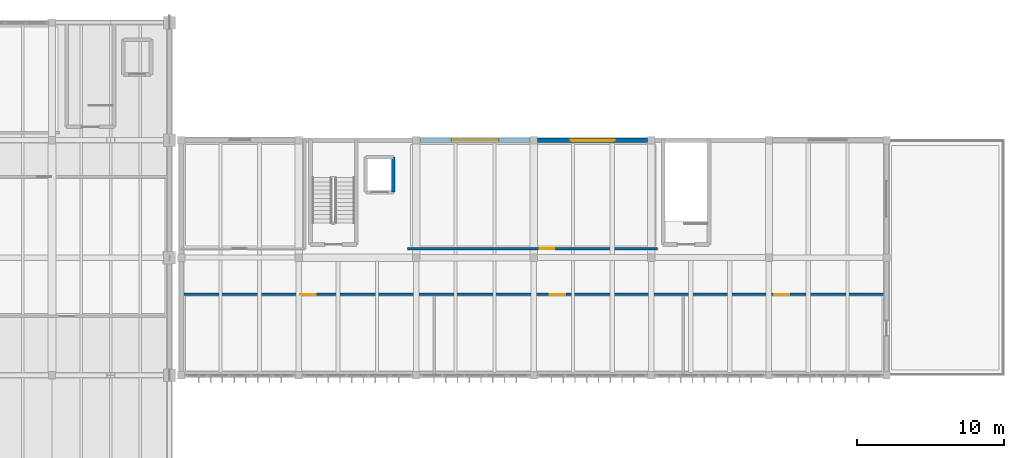
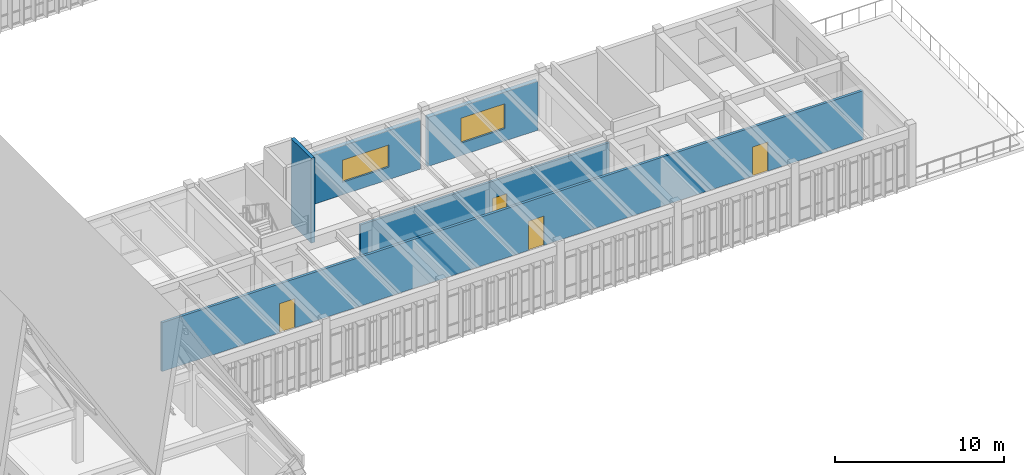
# One storey, part 51 of 72: 5 walls, 4 doors, 2 windows, 6 openings.
"""IFC4 building model written with IfcOpenShell, lengths in metres."""

import ifcopenshell
import ifcopenshell.guid

model = None  # the IFC model being written
_history = None  # IfcOwnerHistory: only IFC2X3 demands one
_inside = {}  # id of a spatial element -> (the spatial element, [elements in it])
_under = {}  # id of a project, library or spatial element -> (it, [spatial elements below it])
_declared = {}  # id of a project -> (the project, [libraries it declares])
_typed = {}  # id of a type object -> (the type object, [elements of that type])
_made_of = {}  # id of a material, layer set ... -> (it, [elements and type objects made of it])


def new_model(schema):
    """Start an empty IFC model of exactly this schema.

    Asked for "IFC4X3", IfcOpenShell would pick the latest addendum, in which some entities
    have other attributes; the version numbers below select the first issue.
    IFC2X3 requires an IfcOwnerHistory on every rooted entity: one is made here for all.
    """
    global model, _history
    if schema == "IFC4X3":
        model = ifcopenshell.file(schema_version=(4, 3, 0, 0))
    else:
        model = ifcopenshell.file(schema=schema)
    _inside.clear()
    _under.clear()
    _declared.clear()
    _typed.clear()
    _made_of.clear()
    _history = None
    if model.schema == "IFC2X3":
        org = make("IfcOrganization", Name="unknown")
        user = make(
            "IfcPersonAndOrganization",
            ThePerson=make("IfcPerson", FamilyName="unknown"),
            TheOrganization=org,
        )
        app = make(
            "IfcApplication",
            ApplicationDeveloper=org,
            Version="unknown",
            ApplicationFullName="unknown",
            ApplicationIdentifier="unknown",
        )
        _history = make(
            "IfcOwnerHistory",
            OwningUser=user,
            OwningApplication=app,
            ChangeAction="ADDED",
            CreationDate=0,
        )
    return model


def make(cls, **values):
    """One entity of the class cls with the attributes given. An attribute that is None is left unset."""
    return model.create_entity(
        cls, **{name: value for name, value in values.items() if value is not None}
    )


def rooted(cls, **values):
    """An entity with a GlobalId (a new one), such as an element, a storey or a relation."""
    return make(cls, GlobalId=ifcopenshell.guid.new(), OwnerHistory=_history, **values)


def si_unit(unit_type, name, prefix=None):
    """IfcSIUnit, for example si_unit("LENGTHUNIT", "METRE", prefix="MILLI")."""
    return make("IfcSIUnit", UnitType=unit_type, Prefix=prefix, Name=name)


def assignment(units):
    """IfcUnitAssignment: the units of a project."""
    return None if units is None else make("IfcUnitAssignment", Units=units)


def point(xyz):
    """IfcCartesianPoint."""
    return None if xyz is None else make("IfcCartesianPoint", Coordinates=xyz)


def direction(xyz):
    """IfcDirection."""
    return None if xyz is None else make("IfcDirection", DirectionRatios=xyz)


def frame(location, z_axis=None, x_axis=None):
    """IfcAxis2Placement3D, a coordinate frame: its origin and axes. An axis left out is left unset."""
    return make(
        "IfcAxis2Placement3D",
        Location=point(location),
        Axis=direction(z_axis),
        RefDirection=direction(x_axis),
    )


def frame_2d(location, x_axis=None):
    """IfcAxis2Placement2D, a coordinate frame in the plane: its origin and x axis."""
    return make(
        "IfcAxis2Placement2D", Location=point(location), RefDirection=direction(x_axis)
    )


def origin():
    """The frame at (0, 0, 0) with its axes left unset."""
    return frame((0.0, 0.0, 0.0))


def place(relative_to, where):
    """IfcLocalPlacement: puts the frame where relative to a parent placement (None: the world)."""
    return make(
        "IfcLocalPlacement", PlacementRelTo=relative_to, RelativePlacement=where
    )


def context(
    kind, dimensions, precision=None, world=None, true_north=None, identifier=None
):
    """IfcGeometricRepresentationContext, for example the 3D "Model" context."""
    return make(
        "IfcGeometricRepresentationContext",
        ContextIdentifier=identifier,
        ContextType=kind,
        CoordinateSpaceDimension=dimensions,
        Precision=precision,
        WorldCoordinateSystem=world,
        TrueNorth=true_north,
    )


def subcontext(parent, identifier, kind, view, scale=None):
    """IfcGeometricRepresentationSubContext, for example "Body" below "Model"."""
    return make(
        "IfcGeometricRepresentationSubContext",
        ContextIdentifier=identifier,
        ContextType=kind,
        ParentContext=parent,
        TargetScale=scale,
        TargetView=view,
    )


def project(units=None, contexts=None):
    """IfcProject with its units and contexts."""
    return rooted(
        "IfcProject",
        Name="project",
        RepresentationContexts=contexts,
        UnitsInContext=assignment(units),
    )


def spatial(cls, under=None, at=None, **own):
    """A site, building, storey or space (cls), placed at a placement, below another one or the project."""
    s = rooted(cls, ObjectPlacement=at, **own)
    if under is not None:
        _under.setdefault(under.id(), (under, []))[1].append(s)
    return s


def profile(cls, at=None, kind="AREA", **sizes):
    """A parametric profile (cls). Its sizes go by their IFC names, for example OverallWidth=200.0."""
    return make(cls, ProfileType=kind, Position=at, **sizes)


def rectangle(**sizes):
    """IfcRectangleProfileDef."""
    return profile("IfcRectangleProfileDef", **sizes)


def extrude(swept, where, along, depth):
    """IfcExtrudedAreaSolid: the profile swept, set in the frame where, extruded along a direction by depth."""
    return make(
        "IfcExtrudedAreaSolid",
        SweptArea=swept,
        Position=where,
        ExtrudedDirection=direction(along),
        Depth=depth,
    )


def shape(context_of_items, identifier, shape_type, items):
    """IfcShapeRepresentation: the items that make up one representation, for example the "Body"."""
    return make(
        "IfcShapeRepresentation",
        ContextOfItems=context_of_items,
        RepresentationIdentifier=identifier,
        RepresentationType=shape_type,
        Items=items,
    )


def material(Name=None, Category=None):
    """IfcMaterial."""
    return make("IfcMaterial", Name=Name, Category=Category)


def layer(
    of_material, thickness, ventilated=None, Name=None, Category=None, Priority=None
):
    """IfcMaterialLayer: one layer of a wall or slab, of a material (None: an air gap)."""
    return make(
        "IfcMaterialLayer",
        Material=of_material,
        LayerThickness=thickness,
        IsVentilated=ventilated,
        Name=Name,
        Category=Category,
        Priority=Priority,
    )


def layer_set(layers, Name=None):
    """IfcMaterialLayerSet."""
    return make("IfcMaterialLayerSet", MaterialLayers=layers, LayerSetName=Name)


def made_of(thing, what):
    """Note that an element or type object is made of a material, layer set ...; save() writes the relation."""
    if what is not None:
        _made_of.setdefault(what.id(), (what, []))[1].append(thing)
    return thing


def type_object(cls, material=None, **own):
    """A type object (cls), such as IfcWallType, which elements share."""
    return made_of(rooted(cls, **own), material)


def element(
    cls,
    number,
    at=None,
    inside=None,
    cuts=None,
    type_object=None,
    material=None,
    context=None,
    identifier="Body",
    shape_type=None,
    held_by="IfcProductDefinitionShape",
    body=None,
    shapes=None,
    **own,
):
    """One element of the class cls, such as IfcWall. Its Tag is "e" and its number.

    at: its placement. inside: the storey or other place that contains it. cuts: it is an
    opening in that element (IfcRelVoidsElement). A single representation is given by context,
    identifier, shape_type and body (its items); several are given by shapes. held_by: the class
    of the entity that holds the representations. save() writes the other relations.
    """
    e = rooted(cls, Tag="e%d" % number, ObjectPlacement=at, **own)
    if body is not None:
        shapes = [shape(context, identifier, shape_type, body)]
    if shapes is not None:
        e.Representation = make(held_by, Representations=shapes)
    if inside is not None:
        _inside.setdefault(inside.id(), (inside, []))[1].append(e)
    if cuts is not None:
        rooted(
            "IfcRelVoidsElement", RelatingBuildingElement=cuts, RelatedOpeningElement=e
        )
    if type_object is not None:
        _typed.setdefault(type_object.id(), (type_object, []))[1].append(e)
    return made_of(e, material)


def fill(opening, filler):
    """IfcRelFillsElement: the door or window that sits in an opening."""
    return rooted(
        "IfcRelFillsElement",
        RelatingOpeningElement=opening,
        RelatedBuildingElement=filler,
    )


def aggregate(whole, parts):
    """IfcRelAggregates: a whole, such as a stair, and the parts it consists of."""
    return rooted("IfcRelAggregates", RelatingObject=whole, RelatedObjects=parts)


def save(model, path):
    """Write the relations noted so far, then the file.

    IfcRelAggregates (storeys below a building ...), IfcRelContainedInSpatialStructure (elements
    in a storey), IfcRelDefinesByType, IfcRelAssociatesMaterial and IfcRelDeclares: one each for
    every whole, place, type object, material and project.
    """
    for whole, parts in _under.values():
        aggregate(whole, parts)
    for where, things in _inside.values():
        rooted(
            "IfcRelContainedInSpatialStructure",
            RelatedElements=things,
            RelatingStructure=where,
        )
    for kind, things in _typed.values():
        rooted("IfcRelDefinesByType", RelatedObjects=things, RelatingType=kind)
    for what, things in _made_of.values():
        rooted("IfcRelAssociatesMaterial", RelatedObjects=things, RelatingMaterial=what)
    for by, libraries in _declared.values():
        rooted("IfcRelDeclares", RelatingContext=by, RelatedDefinitions=libraries)
    model.write(path)


model = new_model("IFC4")

# Units and contexts
model_context = context("Model", 3, precision=1e-05, world=origin(), true_north=direction((0.0, 1.0)))
body_context = subcontext(model_context, "Body", "Model", "MODEL_VIEW")
ifc_project = project(units=[si_unit("LENGTHUNIT", "METRE"), si_unit("AREAUNIT", "SQUARE_METRE"), si_unit("VOLUMEUNIT", "CUBIC_METRE"), si_unit("PLANEANGLEUNIT", "RADIAN"), si_unit("MASSUNIT", "GRAM", prefix="KILO")], contexts=[model_context])

# Site, building, storey
site_placement = place(None, origin())
site = spatial("IfcSite", under=ifc_project, at=site_placement, CompositionType="ELEMENT")
building_placement = place(site_placement, origin())
building = spatial("IfcBuilding", under=site, at=building_placement, Name="Tlaxcora Railside Police Headquarters", CompositionType="ELEMENT")
storey_placement = place(building_placement, frame((0.0, 0.0, 13.5)))
storey = spatial("IfcBuildingStorey", under=building, at=storey_placement, Name="L03", CompositionType="ELEMENT", Elevation=13.5)

# Wall, openings, doors
ifc_material_1 = material(Name="Gypsum acoustic partition board")
ifc_layer_1 = layer(ifc_material_1, 0.175048828125, Name="Gypsum acoustic partition board")
ifc_layer_set_1 = layer_set([ifc_layer_1], Name="Gypsum acoustic partition board")
wall_type_1 = type_object("IfcWallType", Name="Interior Partition Wall IW-22", PredefinedType="PARTITIONING", material=ifc_layer_set_1)
wall_1_placement = place(storey_placement, frame((102.8798828125, 41.5, 0.0), z_axis=(0.0, 0.0, 1.0), x_axis=(1.0, 0.0, 0.0)))
wall_1 = element("IfcWall", 1, at=wall_1_placement, inside=storey, type_object=wall_type_1, Name="V7 L03 interior partition 179", PredefinedType="PARTITIONING", context=body_context, shape_type="SweptSolid", body=[
    extrude(rectangle(XDim=47.840087890625, YDim=0.175048828125, at=frame_2d((23.919921875, 0.0))), origin(), (0.0, 0.0, 1.0), 3.52490234375),
])
opening_1_placement = place(wall_1_placement, frame((8.02001953125, 0.0, 0.0)))
opening_1 = element("IfcOpeningElement", 2, at=opening_1_placement, cuts=wall_1, Name="Opening D-L03-208", PredefinedType="OPENING", context=body_context, shape_type="SweptSolid", body=[
    extrude(rectangle(XDim=1.050048828125, YDim=2.10009765625, at=frame_2d((0.52490234375, 1.050048828125))), frame((0.0, 0.09765625, 0.0), z_axis=(0.0, -1.0, 0.0), x_axis=(1.0, 0.0, 0.0)), (0.0, 0.0, 1.0), 0.195068359375),
])
opening_2_placement = place(wall_1_placement, frame((24.989990234375, 0.0, 0.0)))
opening_2 = element("IfcOpeningElement", 3, at=opening_2_placement, cuts=wall_1, Name="Opening D-L03-209", PredefinedType="OPENING", context=body_context, shape_type="SweptSolid", body=[
    extrude(rectangle(XDim=1.050048828125, YDim=2.10009765625, at=frame_2d((0.52490234375, 1.050048828125))), frame((0.0, 0.09765625, 0.0), z_axis=(0.0, -1.0, 0.0), x_axis=(1.0, 0.0, 0.0)), (0.0, 0.0, 1.0), 0.195068359375),
])
opening_3_placement = place(wall_1_placement, frame((40.27001953125, 0.0, 0.0)))
opening_3 = element("IfcOpeningElement", 4, at=opening_3_placement, cuts=wall_1, Name="Opening D-L03-210", PredefinedType="OPENING", context=body_context, shape_type="SweptSolid", body=[
    extrude(rectangle(XDim=1.050048828125, YDim=2.10009765625, at=frame_2d((0.52490234375, 1.050048828125))), frame((0.0, 0.09765625, 0.0), z_axis=(0.0, -1.0, 0.0), x_axis=(1.0, 0.0, 0.0)), (0.0, 0.0, 1.0), 0.195068359375),
])
ifc_material_2 = material(Name="Steel ASTM A992 Grade 50", Category="steel")
door_type_1 = type_object("IfcDoorType", Name="Swing or Sliding Personnel Door ID-52", OperationType="NOTDEFINED", PredefinedType="DOOR", material=ifc_material_2)
door_1_placement = place(opening_1_placement, origin())
door_1 = element("IfcDoor", 5, at=door_1_placement, inside=storey, type_object=door_type_1, Name="V7 L03 door D-L03-208", OperationType="SINGLE_SWING_LEFT", OverallHeight=2.10009765625, OverallWidth=1.050048828125, PredefinedType="DOOR", context=body_context, shape_type="SweptSolid", body=[
    extrude(rectangle(XDim=1.050048828125, YDim=2.10009765625, at=frame_2d((0.52490234375, 1.050048828125))), frame((0.0, 0.02490234375, 0.0), z_axis=(0.0, -1.0, 0.0), x_axis=(1.0, 0.0, 0.0)), (0.0, 0.0, 1.0), 0.050048828125),
])
fill(opening_1, door_1)
door_2_placement = place(opening_2_placement, origin())
door_2 = element("IfcDoor", 6, at=door_2_placement, inside=storey, type_object=door_type_1, Name="V7 L03 door D-L03-209", OperationType="SINGLE_SWING_RIGHT", OverallHeight=2.10009765625, OverallWidth=1.050048828125, PredefinedType="DOOR", context=body_context, shape_type="SweptSolid", body=[
    extrude(rectangle(XDim=1.050048828125, YDim=2.10009765625, at=frame_2d((0.52490234375, 1.050048828125))), frame((0.0, 0.02490234375, 0.0), z_axis=(0.0, -1.0, 0.0), x_axis=(1.0, 0.0, 0.0)), (0.0, 0.0, 1.0), 0.050048828125),
])
fill(opening_2, door_2)
door_3_placement = place(opening_3_placement, origin())
door_3 = element("IfcDoor", 7, at=door_3_placement, inside=storey, type_object=door_type_1, Name="V7 L03 door D-L03-210", OperationType="SINGLE_SWING_LEFT", OverallHeight=2.10009765625, OverallWidth=1.050048828125, PredefinedType="DOOR", context=body_context, shape_type="SweptSolid", body=[
    extrude(rectangle(XDim=1.050048828125, YDim=2.10009765625, at=frame_2d((0.52490234375, 1.050048828125))), frame((0.0, 0.02490234375, 0.0), z_axis=(0.0, -1.0, 0.0), x_axis=(1.0, 0.0, 0.0)), (0.0, 0.0, 1.0), 0.050048828125),
])
fill(opening_3, door_3)

# Wall, opening, door
ifc_layer_2 = layer(ifc_material_1, 0.159912109375, Name="Gypsum acoustic partition board")
ifc_layer_set_2 = layer_set([ifc_layer_2], Name="Gypsum acoustic partition board")
wall_type_2 = type_object("IfcWallType", Name="Interior Partition Wall IW-73", PredefinedType="PARTITIONING", material=ifc_layer_set_2)
wall_2_placement = place(storey_placement, frame((118.199951171875, 44.60009765625, 0.0), z_axis=(0.0, 0.0, 1.0), x_axis=(1.0, 0.0, 0.0)))
wall_2 = element("IfcWall", 8, at=wall_2_placement, inside=storey, type_object=wall_type_2, Name="V7 L03 interior partition 182", PredefinedType="PARTITIONING", context=body_context, shape_type="SweptSolid", body=[
    extrude(rectangle(XDim=17.0, YDim=0.159912109375, at=frame_2d((8.5, 0.0))), origin(), (0.0, 0.0, 1.0), 3.324951171875),
])
opening_4_placement = place(wall_2_placement, frame((9.0, 0.0, 0.0)))
opening_4 = element("IfcOpeningElement", 9, at=opening_4_placement, cuts=wall_2, Name="Opening D-L03-212", PredefinedType="OPENING", context=body_context, shape_type="SweptSolid", body=[
    extrude(rectangle(XDim=1.0, YDim=2.10009765625, at=frame_2d((0.5, 1.050048828125))), frame((0.0, 0.08984375, 0.0), z_axis=(0.0, -1.0, 0.0), x_axis=(1.0, 0.0, 0.0)), (0.0, 0.0, 1.0), 0.179931640625),
])
door_type_2 = type_object("IfcDoorType", Name="Swing or Sliding Personnel Door ID-89", OperationType="NOTDEFINED", PredefinedType="DOOR", material=ifc_material_2)
door_4_placement = place(opening_4_placement, origin())
door_4 = element("IfcDoor", 10, at=door_4_placement, inside=storey, type_object=door_type_2, Name="V7 L03 door D-L03-212", OperationType="SINGLE_SWING_LEFT", OverallHeight=2.10009765625, OverallWidth=1.0, PredefinedType="DOOR", context=body_context, shape_type="SweptSolid", body=[
    extrude(rectangle(XDim=1.0, YDim=2.10009765625, at=frame_2d((0.5, 1.050048828125))), frame((0.0, 0.02490234375, 0.0), z_axis=(0.0, -1.0, 0.0), x_axis=(1.0, 0.0, 0.0)), (0.0, 0.0, 1.0), 0.050048828125),
])
fill(opening_4, door_4)

# Wall
ifc_material_3 = material(Name="Concrete C40/50", Category="concrete")
ifc_layer_3 = layer(ifc_material_3, 0.25, Name="Concrete C40/50")
ifc_layer_set_3 = layer_set([ifc_layer_3], Name="Concrete C40/50")
wall_type_3 = type_object("IfcWallType", Name="Shear Core Wall IW-13", PredefinedType="SHEAR", material=ifc_layer_set_3)
wall_3_placement = place(storey_placement, frame((117.239990234375, 48.4599609375, 0.0), z_axis=(0.0, 0.0, 1.0), x_axis=(0.0, 1.0, 0.0)))
element("IfcWall", 11, at=wall_3_placement, inside=storey, type_object=wall_type_3, Name="Lift CL-01 L03 shaft wall E", PredefinedType="SHEAR", context=body_context, shape_type="SweptSolid", body=[
    extrude(rectangle(XDim=2.380126953125, YDim=0.25, at=frame_2d((1.18994140625, 0.0))), origin(), (0.0, 0.0, 1.0), 6.1201171875),
])

# Wall, opening, window
ifc_material_4 = material(Name="Pressed clay brick masonry", Category="masonry")
ifc_layer_4 = layer(ifc_material_4, 0.294921875, Name="Pressed clay brick masonry")
ifc_layer_set_4 = layer_set([ifc_layer_4], Name="Pressed clay brick masonry")
wall_type_4 = type_object("IfcWallType", Name="Structural Bearing Wall EW-74", PredefinedType="SOLIDWALL", material=ifc_layer_set_4)
wall_4_placement = place(storey_placement, frame((134.550048828125, 52.0, 0.0), z_axis=(0.0, 0.0, 1.0), x_axis=(-1.0, 0.0, 0.0)))
wall_4 = element("IfcWall", 12, at=wall_4_placement, inside=storey, type_object=wall_type_4, Name="V7 L03 exterior wall 2.2", PredefinedType="SOLIDWALL", context=body_context, shape_type="SweptSolid", body=[
    extrude(rectangle(XDim=7.5, YDim=0.294921875, at=frame_2d((3.75, 0.0))), origin(), (0.0, 0.0, 1.0), 3.5400390625),
])
opening_5_placement = place(wall_4_placement, frame((2.25, 0.0, 0.89990234375)))
opening_5 = element("IfcOpeningElement", 13, at=opening_5_placement, cuts=wall_4, Name="Opening WN-93", PredefinedType="OPENING", context=body_context, shape_type="SweptSolid", body=[
    extrude(rectangle(XDim=3.0, YDim=1.800048828125, at=frame_2d((1.5, 0.89990234375))), frame((0.0, 0.157470703125, 0.0), z_axis=(0.0, -1.0, 0.0), x_axis=(1.0, 0.0, 0.0)), (0.0, 0.0, 1.0), 0.31494140625),
])
ifc_material_5 = material(Name="Thermally broken low-E insulated glazing", Category="glass")
window_type_1 = type_object("IfcWindowType", Name="Exterior Framed or Circular Window WN-93", PartitioningType="SINGLE_PANEL", PredefinedType="WINDOW", material=ifc_material_5)
window_1_placement = place(opening_5_placement, origin())
window_1 = element("IfcWindow", 14, at=window_1_placement, inside=storey, type_object=window_type_1, Name="V7 L03 window 215", OverallHeight=1.800048828125, OverallWidth=3.0, PartitioningType="SINGLE_PANEL", PredefinedType="WINDOW", context=body_context, shape_type="SweptSolid", body=[
    extrude(rectangle(XDim=3.0, YDim=1.800048828125, at=frame_2d((1.5, 0.89990234375))), frame((0.0, 0.030029296875, 0.0), z_axis=(0.0, -1.0, 0.0), x_axis=(1.0, 0.0, 0.0)), (0.0, 0.0, 1.0), 0.06005859375),
])
fill(opening_5, window_1)

wall_5_placement = place(storey_placement, frame((126.550048828125, 52.0, 0.0), z_axis=(0.0, 0.0, 1.0), x_axis=(-1.0, 0.0, 0.0)))
wall_5 = element("IfcWall", 15, at=wall_5_placement, inside=storey, type_object=wall_type_4, Name="V7 L03 exterior wall 2.3", PredefinedType="SOLIDWALL", context=body_context, shape_type="SweptSolid", body=[
    extrude(rectangle(XDim=7.5, YDim=0.294921875, at=frame_2d((3.75, 0.0))), origin(), (0.0, 0.0, 1.0), 3.5400390625),
])
opening_6_placement = place(wall_5_placement, frame((2.14990234375, 0.0, 0.89990234375)))
opening_6 = element("IfcOpeningElement", 16, at=opening_6_placement, cuts=wall_5, Name="Opening WN-47", PredefinedType="OPENING", context=body_context, shape_type="SweptSolid", body=[
    extrude(rectangle(XDim=3.199951171875, YDim=1.60009765625, at=frame_2d((1.60009765625, 0.800048828125))), frame((0.0, 0.157470703125, 0.0), z_axis=(0.0, -1.0, 0.0), x_axis=(1.0, 0.0, 0.0)), (0.0, 0.0, 1.0), 0.31494140625),
])
window_type_2 = type_object("IfcWindowType", Name="Exterior Framed or Circular Window WN-47", PartitioningType="SINGLE_PANEL", PredefinedType="WINDOW", material=ifc_material_5)
window_2_placement = place(opening_6_placement, origin())
window_2 = element("IfcWindow", 17, at=window_2_placement, inside=storey, type_object=window_type_2, Name="V7 L03 window 216", OverallHeight=1.60009765625, OverallWidth=3.199951171875, PartitioningType="SINGLE_PANEL", PredefinedType="WINDOW", context=body_context, shape_type="SweptSolid", body=[
    extrude(rectangle(XDim=3.199951171875, YDim=1.60009765625, at=frame_2d((1.60009765625, 0.800048828125))), frame((0.0, 0.030029296875, 0.0), z_axis=(0.0, -1.0, 0.0), x_axis=(1.0, 0.0, 0.0)), (0.0, 0.0, 1.0), 0.06005859375),
])
fill(opening_6, window_2)

save(model, "model.ifc")
